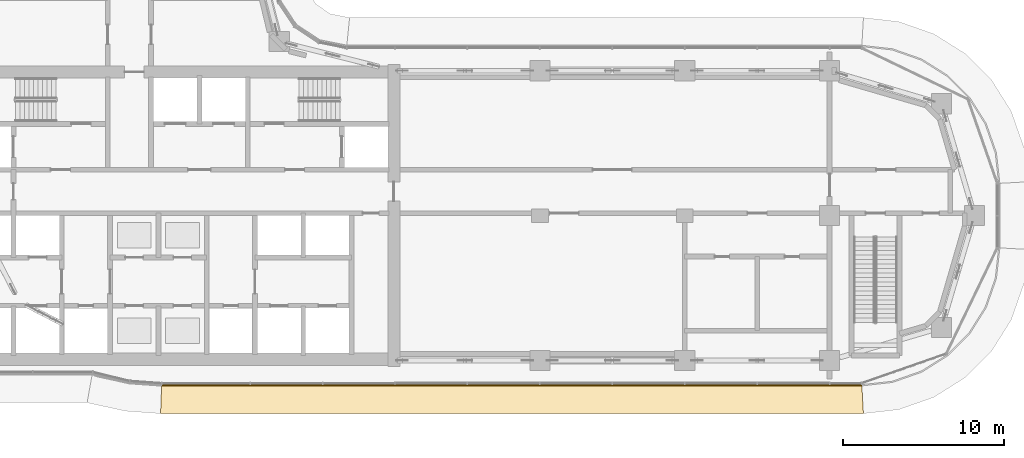
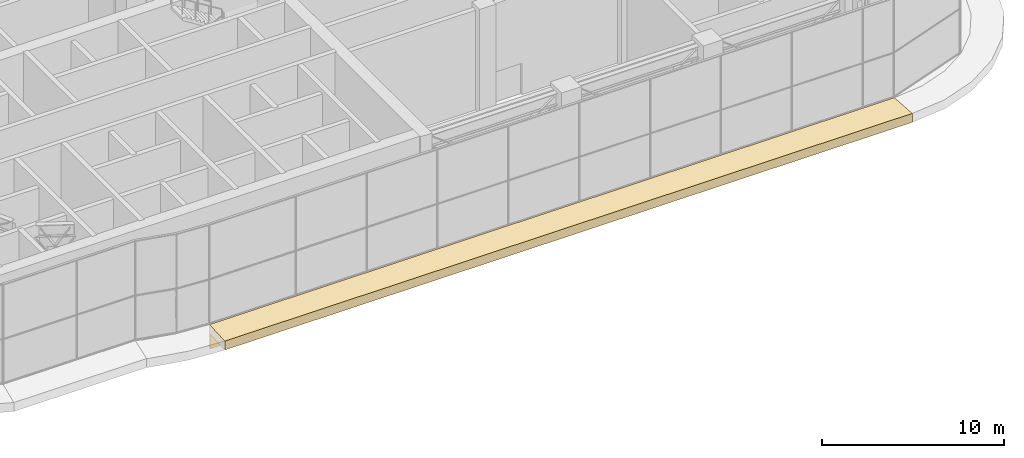
# One storey, part 30 of 35: 2 coverings.
"""IFC4 building model written with IfcOpenShell, lengths in metres."""

from ifc_helpers import new_model, si_unit, direction, frame, origin, place, context, subcontext, project, spatial, polyline, outline, extrude, material, layer, layer_set, type_object, element, save


model = new_model("IFC4")

# Units and contexts
model_context = context("Model", 3, precision=1e-05, world=origin(), true_north=direction((0.0, 1.0)))
body_context = subcontext(model_context, "Body", "Model", "MODEL_VIEW")
ifc_project = project(units=[si_unit("LENGTHUNIT", "METRE"), si_unit("AREAUNIT", "SQUARE_METRE"), si_unit("VOLUMEUNIT", "CUBIC_METRE"), si_unit("PLANEANGLEUNIT", "RADIAN"), si_unit("MASSUNIT", "GRAM", prefix="KILO")], contexts=[model_context])

# Site, building, storey
site_placement = place(None, origin())
site = spatial("IfcSite", under=ifc_project, at=site_placement, CompositionType="ELEMENT")
building_placement = place(site_placement, origin())
building = spatial("IfcBuilding", under=site, at=building_placement, Name="Ogive Portal Towers", CompositionType="ELEMENT")
storey_placement = place(building_placement, frame((0.0, 0.0, 135.199951171875)))
storey = spatial("IfcBuildingStorey", under=building, at=storey_placement, Name="L33", CompositionType="ELEMENT", Elevation=135.199951171875)

# Coverings
ifc_material = material(Name="Limestone cladding on lightweight block wall", Category="masonry")
ifc_layer_1 = layer(ifc_material, 0.080078125)
ifc_layer_set_1 = layer_set([ifc_layer_1], Name="STONE SPANDREL 80")
covering_type_1 = type_object("IfcCoveringType", Name="STONE SPANDREL 80", PredefinedType="CLADDING", material=ifc_layer_set_1)
covering_1_placement = place(storey_placement, frame((0.0, 0.0, -1.599853515625)))
element("IfcCovering", 1, at=covering_1_placement, inside=storey, type_object=covering_type_1, Name="Stone spandrel A1-F05", PredefinedType="CLADDING", context=body_context, shape_type="SweptSolid", body=[
    extrude(outline(polyline([(44.0, 20.0), (87.5, 20.0), (87.50439453125, 19.919921875), (43.9970703125, 19.919921875), (44.0, 20.0)])), origin(), (0.0, 0.0, 1.0), 1.0),
])
ifc_layer_2 = layer(ifc_material, 0.60009765625)
ifc_layer_set_2 = layer_set([ifc_layer_2], Name="SUNSHADE LIP 600")
covering_type_2 = type_object("IfcCoveringType", Name="SUNSHADE LIP 600", PredefinedType="CLADDING", material=ifc_layer_set_2)
covering_2_placement = place(storey_placement, frame((0.0, 0.0, -0.599853515625)))
element("IfcCovering", 2, at=covering_2_placement, inside=storey, type_object=covering_type_2, Name="Sunshade lip A1-F05", PredefinedType="CLADDING", context=body_context, shape_type="SweptSolid", body=[
    extrude(outline(polyline([(44.0, 20.0), (87.5, 20.0), (87.60107421875, 18.199951171875), (43.935791015625, 18.199951171875), (44.0, 20.0)])), origin(), (0.0, 0.0, 1.0), 0.599853515625),
])

save(model, "model.ifc")
